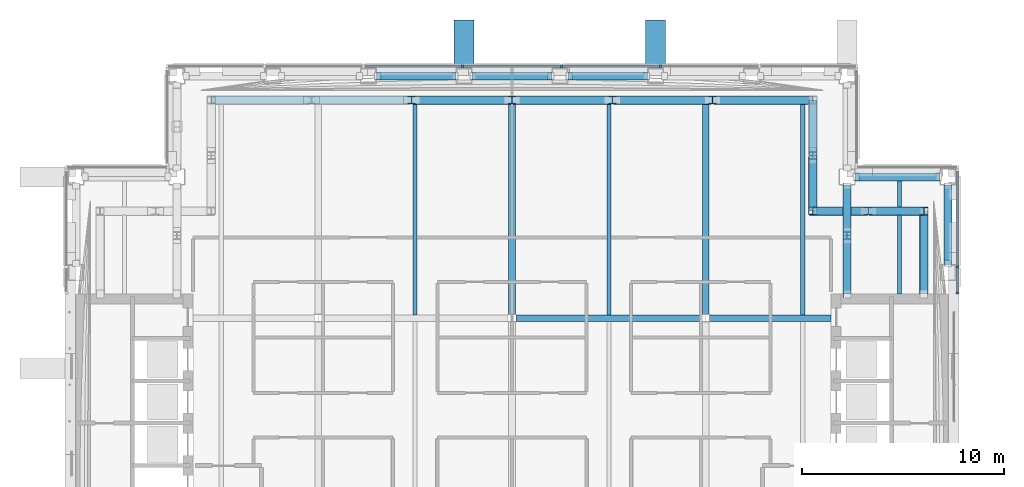
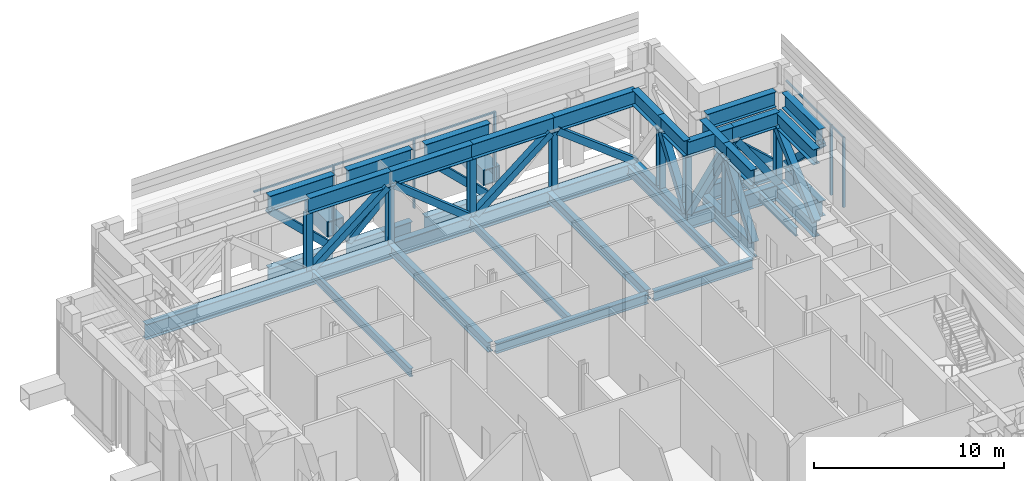
# One storey, part 8 of 29: 60 members, 11 beams, 2 elements without a shape of their own.
"""IFC4 building model written with IfcOpenShell, lengths in metres."""

from ifc_helpers import new_model, si_unit, direction, frame, origin, origin_2d, place, context, subcontext, project, spatial, rectangle, hollow_rectangle, i_section, extrude, material, material_profile, profile_set, type_object, element, aggregate, save


model = new_model("IFC4")

# Units and contexts
model_context = context("Model", 3, precision=1e-05, world=origin(), true_north=direction((0.0, 1.0)))
body_context = subcontext(model_context, "Body", "Model", "MODEL_VIEW")
ifc_project = project(units=[si_unit("LENGTHUNIT", "METRE"), si_unit("AREAUNIT", "SQUARE_METRE"), si_unit("VOLUMEUNIT", "CUBIC_METRE"), si_unit("PLANEANGLEUNIT", "RADIAN"), si_unit("MASSUNIT", "GRAM", prefix="KILO")], contexts=[model_context])

# Site, building, storey
site_placement = place(None, origin())
site = spatial("IfcSite", under=ifc_project, at=site_placement, CompositionType="ELEMENT")
building_placement = place(site_placement, origin())
building = spatial("IfcBuilding", under=site, at=building_placement, Name="Cobrizo Arcos Hotel Tower", CompositionType="ELEMENT")
storey_placement = place(building_placement, frame((0.0, 0.0, 186.5)))
storey = spatial("IfcBuildingStorey", under=building, at=storey_placement, Name="L48", CompositionType="ELEMENT", Elevation=186.5)

# Beams
ifc_material_1 = material(Name="Steel ASTM A572 Grade 50", Category="steel")
ifc_material_profile_1 = material_profile(ifc_material_1, hollow_rectangle(XDim=1.0, YDim=1.0, WallThickness=0.06005859375, at=origin_2d()), Name="BOX 1000X1000X60")
ifc_profile_set_1 = profile_set([ifc_material_profile_1], Name="Steel ASTM A572 Grade 50")
beam_type_1 = type_object("IfcBeamType", Name="BOX 1000X1000X60 brace connector strut", PredefinedType="BEAM", material=ifc_profile_set_1)
for number, where, z_axis, x_axis, name in (
    (1, (7.1142578125, 21.989990234375, 0.5), (0.0, 1.0, 0.0), (-1.0, 0.0, 0.0), "Perimeter brace stub BS1, zone Z3, north face, offset +7.11 m, L48"),
    (2, (-2.371337890625, 21.989990234375, 0.5), (0.0, 1.0, 0.0), (-1.0, 0.0, 0.0), "Perimeter brace stub BS1, zone Z3, north face, offset -2.37 m, L48"),
):
    element("IfcBeam", number, at=place(storey_placement, frame(where, z_axis=z_axis, x_axis=x_axis)), inside=storey, type_object=beam_type_1, Name=name, PredefinedType="BEAM", context=body_context, shape_type="SweptSolid", body=[
        extrude(hollow_rectangle(XDim=1.0, YDim=1.0, WallThickness=0.06005859375, at=origin_2d()), origin(), (0.0, 0.0, 1.0), 2.380126953125),
    ])

# Curtain wall, members
ifc_material_2 = material(Name="Aluminium 6063-T6 anodised bronze", Category="aluminium")
curtain_wall_type = type_object("IfcCurtainWallType", Name="CW-D plant louvre wall", PredefinedType="NOTDEFINED", material=ifc_material_2)
curtain_wall_1_placement = place(storey_placement, origin())
curtain_wall_1 = element("IfcCurtainWall", 3, at=curtain_wall_1_placement, inside=storey, type_object=curtain_wall_type, Name="CW-D L48 E face", PredefinedType="NOTDEFINED")
ifc_material_profile_2 = material_profile(ifc_material_2, rectangle(XDim=0.14990234375, YDim=0.10009765625, at=origin_2d()), Name="CW-D mullion 150x100")
ifc_profile_set_2 = profile_set([ifc_material_profile_2], Name="Aluminium 6063-T6 anodised bronze")
member_type_1 = type_object("IfcMemberType", Name="CW-D mullion 150x100", PredefinedType="MULLION", material=ifc_profile_set_2)
member_1_placement = place(storey_placement, frame((22.074951171875, 10.85009765625, 0.0), z_axis=(0.0, 0.0, 1.0), x_axis=(1.0, 0.0, 0.0)))
member_1 = element("IfcMember", 4, at=member_1_placement, type_object=member_type_1, Name="CW-D mullion 1", PredefinedType="MULLION", context=body_context, shape_type="SweptSolid", body=[
    extrude(rectangle(XDim=0.14990234375, YDim=0.10009765625, at=origin_2d()), origin(), (0.0, 0.0, 1.0), 4.5),
])
member_2_placement = place(storey_placement, frame((22.074951171875, 12.142822265625, 0.0), z_axis=(0.0, 0.0, 1.0), x_axis=(1.0, 0.0, 0.0)))
member_2 = element("IfcMember", 5, at=member_2_placement, type_object=member_type_1, Name="CW-D mullion 2", PredefinedType="MULLION", context=body_context, shape_type="SweptSolid", body=[
    extrude(rectangle(XDim=0.14990234375, YDim=0.10009765625, at=origin_2d()), origin(), (0.0, 0.0, 1.0), 4.5),
])

curtain_wall_2_placement = place(storey_placement, origin())
curtain_wall_2 = element("IfcCurtainWall", 6, at=curtain_wall_2_placement, inside=storey, type_object=curtain_wall_type, Name="CW-D L48 N face", PredefinedType="NOTDEFINED")
member_3_placement = place(storey_placement, frame((7.35009765625, 22.074951171875, 0.0), z_axis=(0.0, 0.0, 1.0), x_axis=(0.0, 1.0, 0.0)))
member_3 = element("IfcMember", 7, at=member_3_placement, type_object=member_type_1, Name="CW-D mullion 3", PredefinedType="MULLION", context=body_context, shape_type="SweptSolid", body=[
    extrude(rectangle(XDim=0.14990234375, YDim=0.10009765625, at=origin_2d()), origin(), (0.0, 0.0, 1.0), 4.5),
])
member_4_placement = place(storey_placement, frame((2.449951171875, 22.074951171875, 0.0), z_axis=(0.0, 0.0, 1.0), x_axis=(0.0, 1.0, 0.0)))
member_4 = element("IfcMember", 8, at=member_4_placement, type_object=member_type_1, Name="CW-D mullion 4", PredefinedType="MULLION", context=body_context, shape_type="SweptSolid", body=[
    extrude(rectangle(XDim=0.14990234375, YDim=0.10009765625, at=origin_2d()), origin(), (0.0, 0.0, 1.0), 4.5),
])
member_5_placement = place(storey_placement, frame((-2.449951171875, 22.074951171875, 0.0), z_axis=(0.0, 0.0, 1.0), x_axis=(0.0, 1.0, 0.0)))
member_5 = element("IfcMember", 9, at=member_5_placement, type_object=member_type_1, Name="CW-D mullion 5", PredefinedType="MULLION", context=body_context, shape_type="SweptSolid", body=[
    extrude(rectangle(XDim=0.14990234375, YDim=0.10009765625, at=origin_2d()), origin(), (0.0, 0.0, 1.0), 4.5),
])

# Member
ifc_material_profile_3 = material_profile(ifc_material_2, rectangle(XDim=0.10009765625, YDim=0.10009765625, at=origin_2d()), Name="CW-D transom 100x100")
ifc_profile_set_3 = profile_set([ifc_material_profile_3], Name="Aluminium 6063-T6 anodised bronze")
member_type_2 = type_object("IfcMemberType", Name="CW-D transom 100x100", PredefinedType="USERDEFINED", material=ifc_profile_set_3)
member_6_placement = place(storey_placement, frame((22.074951171875, 10.89990234375, 4.449951171875), z_axis=(0.0, 1.0, 0.0), x_axis=(-1.0, 0.0, 0.0)))
member_6 = element("IfcMember", 10, at=member_6_placement, type_object=member_type_2, Name="CW-D transom 1677", ObjectType="TRANSOM", PredefinedType="USERDEFINED", context=body_context, shape_type="SweptSolid", body=[
    extrude(rectangle(XDim=0.10009765625, YDim=0.10009765625, at=origin_2d()), origin(), (0.0, 0.0, 1.0), 1.19287109375),
])

member_7_placement = place(storey_placement, frame((22.074951171875, 12.19287109375, 4.449951171875), z_axis=(0.0, 1.0, 0.0), x_axis=(-1.0, 0.0, 0.0)))
member_7 = element("IfcMember", 11, at=member_7_placement, type_object=member_type_2, Name="CW-D transom 1678", ObjectType="TRANSOM", PredefinedType="USERDEFINED", context=body_context, shape_type="SweptSolid", body=[
    extrude(rectangle(XDim=0.10009765625, YDim=0.10009765625, at=origin_2d()), origin(), (0.0, 0.0, 1.0), 4.70703125),
])

aggregate(curtain_wall_1, [member_1, member_2, member_6, member_7])

member_8_placement = place(storey_placement, frame((7.300048828125, 22.074951171875, 4.449951171875), z_axis=(-1.0, 0.0, 0.0), x_axis=(0.0, -1.0, 0.0)))
member_8 = element("IfcMember", 12, at=member_8_placement, type_object=member_type_2, Name="CW-D transom 1683", ObjectType="TRANSOM", PredefinedType="USERDEFINED", context=body_context, shape_type="SweptSolid", body=[
    extrude(rectangle(XDim=0.10009765625, YDim=0.10009765625, at=origin_2d()), origin(), (0.0, 0.0, 1.0), 4.800048828125),
])

member_9_placement = place(storey_placement, frame((2.39990234375, 22.074951171875, 4.449951171875), z_axis=(-1.0, 0.0, 0.0), x_axis=(0.0, -1.0, 0.0)))
member_9 = element("IfcMember", 13, at=member_9_placement, type_object=member_type_2, Name="CW-D transom 1684", ObjectType="TRANSOM", PredefinedType="USERDEFINED", context=body_context, shape_type="SweptSolid", body=[
    extrude(rectangle(XDim=0.10009765625, YDim=0.10009765625, at=origin_2d()), origin(), (0.0, 0.0, 1.0), 4.7998046875),
])

member_10_placement = place(storey_placement, frame((-2.5, 22.074951171875, 4.449951171875), z_axis=(-1.0, 0.0, 0.0), x_axis=(0.0, -1.0, 0.0)))
member_10 = element("IfcMember", 14, at=member_10_placement, type_object=member_type_2, Name="CW-D transom 1685", ObjectType="TRANSOM", PredefinedType="USERDEFINED", context=body_context, shape_type="SweptSolid", body=[
    extrude(rectangle(XDim=0.10009765625, YDim=0.10009765625, at=origin_2d()), origin(), (0.0, 0.0, 1.0), 4.800048828125),
])

aggregate(curtain_wall_2, [member_3, member_4, member_5, member_8, member_9, member_10])

# Members
ifc_material_3 = material(Name="Steel ASTM A500 Grade C", Category="steel")
ifc_material_profile_4 = material_profile(ifc_material_3, hollow_rectangle(XDim=0.406494140625, YDim=0.406494140625, WallThickness=0.014892578125, at=origin_2d()), Name="HSS16X16X5/8")
ifc_profile_set_4 = profile_set([ifc_material_profile_4], Name="Steel ASTM A500 Grade C")
member_type_3 = type_object("IfcMemberType", Name="HSS16X16X5/8 truss diagonal", PredefinedType="BRACE", material=ifc_profile_set_4)
member_11_placement = place(storey_placement, frame((21.60009765625, 12.3369140625, 3.359375), z_axis=(0.0, 0.71876736936, -0.695250651739), x_axis=(-1.0, 0.0, 0.0)))
element("IfcMember", 15, at=member_11_placement, inside=storey, type_object=member_type_3, Name="Belt truss diagonal TD1, L48, no. 011", PredefinedType="BRACE", context=body_context, shape_type="SweptSolid", body=[
    extrude(hollow_rectangle(XDim=0.406494140625, YDim=0.406494140625, WallThickness=0.014892578125, at=origin_2d()), origin(), (0.0, 0.0, 1.0), 5.263427734375),
])
member_12_placement = place(storey_placement, frame((21.1201171875, 16.60009765625, -0.300048828125), z_axis=(-0.7411568591, 0.0, 0.671331892739), x_axis=(0.0, -1.0, 0.0)))
element("IfcMember", 16, at=member_12_placement, inside=storey, type_object=member_type_3, Name="Belt truss diagonal TD1, L48, no. 012", PredefinedType="BRACE", context=body_context, shape_type="SweptSolid", body=[
    extrude(hollow_rectangle(XDim=0.406494140625, YDim=0.406494140625, WallThickness=0.014892578125, at=origin_2d()), origin(), (0.0, 0.0, 1.0), 5.450927734375),
])
member_13_placement = place(storey_placement, frame((6.634033203125, 21.60009765625, -0.300048828125), z_axis=(-0.718744947416, 0.0, 0.695273831353), x_axis=(0.0, -1.0, 0.0)))
element("IfcMember", 17, at=member_13_placement, inside=storey, type_object=member_type_3, Name="Belt truss diagonal TD1, L48, no. 016", PredefinedType="BRACE", context=body_context, shape_type="SweptSolid", body=[
    extrude(hollow_rectangle(XDim=0.406494140625, YDim=0.406494140625, WallThickness=0.014892578125, at=origin_2d()), origin(), (0.0, 0.0, 1.0), 5.26318359375),
])
member_14_placement = place(storey_placement, frame((1.89111328125, 21.60009765625, 3.359375), z_axis=(-0.718677668125, 0.0, -0.695343375131), x_axis=(0.0, -1.0, 0.0)))
element("IfcMember", 18, at=member_14_placement, inside=storey, type_object=member_type_3, Name="Belt truss diagonal TD1, L48, no. 017", PredefinedType="BRACE", context=body_context, shape_type="SweptSolid", body=[
    extrude(hollow_rectangle(XDim=0.406494140625, YDim=0.406494140625, WallThickness=0.014892578125, at=origin_2d()), origin(), (0.0, 0.0, 1.0), 5.2626953125),
])
member_15_placement = place(storey_placement, frame((-2.85107421875, 21.60009765625, -0.300048828125), z_axis=(-0.718744947416, 0.0, 0.695273831353), x_axis=(0.0, -1.0, 0.0)))
element("IfcMember", 19, at=member_15_placement, inside=storey, type_object=member_type_3, Name="Belt truss diagonal TD1, L48, no. 018", PredefinedType="BRACE", context=body_context, shape_type="SweptSolid", body=[
    extrude(hollow_rectangle(XDim=0.406494140625, YDim=0.406494140625, WallThickness=0.014892578125, at=origin_2d()), origin(), (0.0, 0.0, 1.0), 5.26318359375),
])
member_16_placement = place(storey_placement, frame((20.39990234375, 10.801025390625, -0.300048828125), z_axis=(0.0, 0.745963676774, 0.665986631197), x_axis=(-1.0, 0.0, 0.0)))
element("IfcMember", 20, at=member_16_placement, inside=storey, type_object=member_type_3, Name="Belt truss diagonal TD1, L48, no. 038", PredefinedType="BRACE", context=body_context, shape_type="SweptSolid", body=[
    extrude(hollow_rectangle(XDim=0.406494140625, YDim=0.406494140625, WallThickness=0.014892578125, at=origin_2d()), origin(), (0.0, 0.0, 1.0), 5.49462890625),
])
for number, where, z_axis, x_axis, name in (
    (21, (20.39990234375, 14.89990234375, -0.300048828125), (-0.571686597263, 0.0, 0.820472080274), (0.0, -1.0, 0.0), "Belt truss diagonal TD1, L48, no. 039"),
    (22, (17.449951171875, 14.89990234375, 3.359375), (-0.571723443945, 0.0, -0.820446405102), (0.0, -1.0, 0.0), "Belt truss diagonal TD1, L48, no. 040"),
    (23, (14.89990234375, 14.89990234375, -0.300048828125), (0.0, 0.571723443945, 0.820446405102), (-1.0, 0.0, 0.0), "Belt truss diagonal TD1, L48, no. 041"),
):
    element("IfcMember", number, at=place(storey_placement, frame(where, z_axis=z_axis, x_axis=x_axis)), inside=storey, type_object=member_type_3, Name=name, PredefinedType="BRACE", context=body_context, shape_type="SweptSolid", body=[
        extrude(hollow_rectangle(XDim=0.406494140625, YDim=0.406494140625, WallThickness=0.014892578125, at=origin_2d()), origin(), (0.0, 0.0, 1.0), 4.460205078125),
    ])
member_17_placement = place(storey_placement, frame((14.89990234375, 20.39990234375, -0.300048828125), z_axis=(-0.793217141697, 0.0, 0.608938885372), x_axis=(0.0, -1.0, 0.0)))
element("IfcMember", 24, at=member_17_placement, inside=storey, type_object=member_type_3, Name="Belt truss diagonal TD1, L48, no. 043", PredefinedType="BRACE", context=body_context, shape_type="SweptSolid", body=[
    extrude(hollow_rectangle(XDim=0.406494140625, YDim=0.406494140625, WallThickness=0.014892578125, at=origin_2d()), origin(), (0.0, 0.0, 1.0), 6.009521484375),
])
member_18_placement = place(storey_placement, frame((9.73291015625, 20.39990234375, 3.359375), z_axis=(-0.780310829579, 0.0, -0.625391884534), x_axis=(0.0, -1.0, 0.0)))
element("IfcMember", 25, at=member_18_placement, inside=storey, type_object=member_type_3, Name="Belt truss diagonal TD1, L48, no. 044", PredefinedType="BRACE", context=body_context, shape_type="SweptSolid", body=[
    extrude(hollow_rectangle(XDim=0.406494140625, YDim=0.406494140625, WallThickness=0.014892578125, at=origin_2d()), origin(), (0.0, 0.0, 1.0), 5.851318359375),
])
for number, where, z_axis, x_axis, name in (
    (26, (4.76708984375, 20.39990234375, -0.300048828125), (-0.780392402879, 0.0, 0.625290090701), (0.0, -1.0, 0.0), "Belt truss diagonal TD1, L48, no. 045"),
    (27, (-0.199951171875, 20.39990234375, 3.359375), (-0.780392402879, 0.0, -0.625290090701), (0.0, -1.0, 0.0), "Belt truss diagonal TD1, L48, no. 046"),
):
    element("IfcMember", number, at=place(storey_placement, frame(where, z_axis=z_axis, x_axis=x_axis)), inside=storey, type_object=member_type_3, Name=name, PredefinedType="BRACE", context=body_context, shape_type="SweptSolid", body=[
        extrude(hollow_rectangle(XDim=0.406494140625, YDim=0.406494140625, WallThickness=0.014892578125, at=origin_2d()), origin(), (0.0, 0.0, 1.0), 5.852294921875),
    ])
member_19_placement = place(storey_placement, frame((16.60009765625, 10.800048828125, -0.300048828125), z_axis=(0.0, 0.593702520148, 0.804684607514), x_axis=(-1.0, 0.0, 0.0)))
element("IfcMember", 28, at=member_19_placement, inside=storey, type_object=member_type_3, Name="Outrigger diagonal TD1, L48, no. 004", PredefinedType="BRACE", context=body_context, shape_type="SweptSolid", body=[
    extrude(hollow_rectangle(XDim=0.406494140625, YDim=0.406494140625, WallThickness=0.014892578125, at=origin_2d()), origin(), (0.0, 0.0, 1.0), 4.547607421875),
])
member_20_placement = place(storey_placement, frame((16.60009765625, 13.89990234375, 3.359375), z_axis=(0.0, 0.518708703579, -0.85495104002), x_axis=(-1.0, 0.0, 0.0)))
element("IfcMember", 29, at=member_20_placement, inside=storey, type_object=member_type_3, Name="Outrigger diagonal TD1, L48, no. 005", PredefinedType="BRACE", context=body_context, shape_type="SweptSolid", body=[
    extrude(hollow_rectangle(XDim=0.406494140625, YDim=0.406494140625, WallThickness=0.014892578125, at=origin_2d()), origin(), (0.0, 0.0, 1.0), 4.2802734375),
])
ifc_material_4 = material(Name="Steel ASTM A992 Grade 50", Category="steel")
ifc_material_profile_5 = material_profile(ifc_material_4, i_section(OverallWidth=0.373291015625, OverallDepth=0.373291015625, WebThickness=0.016357421875, FlangeThickness=0.026123046875, at=origin_2d()), Name="W14X132")
ifc_profile_set_5 = profile_set([ifc_material_profile_5], Name="Steel ASTM A992 Grade 50")
member_type_4 = type_object("IfcMemberType", Name="W14X132 truss post", PredefinedType="POST", material=ifc_profile_set_5)
for number, where, z_axis, x_axis, name in (
    (30, (20.39990234375, 14.89990234375, -0.300048828125), (0.0, 0.0, 1.0), (1.0, 0.0, 0.0), "Truss post TP1, L48, no. 012"),
    (31, (17.64990234375, 14.89990234375, -0.300048828125), (0.0, 0.0, 1.0), (1.0, 0.0, 0.0), "Truss post TP1, L48, no. 013"),
    (32, (14.89990234375, 14.89990234375, -0.300048828125), (0.0, 0.0, 1.0), (1.0, 0.0, 0.0), "Truss post TP1, L48, no. 014"),
    (33, (14.89990234375, 17.64990234375, -0.300048828125), (0.0, 0.0, 1.0), (1.0, 0.0, 0.0), "Truss post TP1, L48, no. 015"),
    (34, (9.93310546875, 20.39990234375, -0.300048828125), (0.0, 0.0, 1.0), (1.0, 0.0, 0.0), "Truss post TP1, L48, no. 017"),
    (35, (4.967041015625, 20.39990234375, -0.300048828125), (0.0, 0.0, 1.0), (1.0, 0.0, 0.0), "Truss post TP1, L48, no. 018"),
    (36, (0.0, 20.39990234375, -0.300048828125), (0.0, 0.0, 1.0), (1.0, 0.0, 0.0), "Truss post TP1, L48, no. 019"),
    (37, (-4.967041015625, 20.39990234375, -0.300048828125), (0.0, 0.0, 1.0), (1.0, 0.0, 0.0), "Truss post TP1, L48, no. 020"),
    (38, (16.60009765625, 13.699951171875, -0.300048828125), (0.0, 0.0, 1.0), (1.0, 0.0, 0.0), "Truss post TP1, L48, no. 032"),
):
    element("IfcMember", number, at=place(storey_placement, frame(where, z_axis=z_axis, x_axis=x_axis)), inside=storey, type_object=member_type_4, Name=name, PredefinedType="POST", context=body_context, shape_type="SweptSolid", body=[
        extrude(i_section(OverallWidth=0.373291015625, OverallDepth=0.373291015625, WebThickness=0.016357421875, FlangeThickness=0.026123046875, at=origin_2d()), origin(), (0.0, 0.0, 1.0), 3.659423828125),
    ])

# Beams
ifc_material_profile_6 = material_profile(ifc_material_4, i_section(OverallWidth=0.209228515625, OverallDepth=0.533447265625, WebThickness=0.01025390625, FlangeThickness=0.015625, at=origin_2d()), Name="W21X62")
ifc_profile_set_6 = profile_set([ifc_material_profile_6], Name="Steel ASTM A992 Grade 50")
beam_type_2 = type_object("IfcBeamType", Name="W21X62 joist", PredefinedType="JOIST", material=ifc_profile_set_6)
for number, where, z_axis, x_axis, name in (
    (39, (-4.800048828125, 9.763916015625, -0.566650390625), (0.0, 1.0, 0.0), (-1.0, 0.0, 0.0), "Floor joist J1, L48, no. 012"),
    (40, (4.800048828125, 9.763916015625, -0.566650390625), (0.0, 1.0, 0.0), (-1.0, 0.0, 0.0), "Floor joist J1, L48, no. 016"),
    (41, (14.39990234375, 9.763916015625, -0.566650390625), (0.0, 1.0, 0.0), (-1.0, 0.0, 0.0), "Floor joist J1, L48, no. 020"),
):
    element("IfcBeam", number, at=place(storey_placement, frame(where, z_axis=z_axis, x_axis=x_axis)), inside=storey, type_object=beam_type_2, Name=name, PredefinedType="JOIST", context=body_context, shape_type="SweptSolid", body=[
        extrude(i_section(OverallWidth=0.209228515625, OverallDepth=0.533447265625, WebThickness=0.01025390625, FlangeThickness=0.015625, at=origin_2d()), origin(), (0.0, 0.0, 1.0), 10.435546875),
    ])
beam_1_placement = place(storey_placement, frame((19.199951171875, 10.81005859375, -0.566650390625), z_axis=(0.0, 1.0, 0.0), x_axis=(-1.0, 0.0, 0.0)))
element("IfcBeam", 42, at=beam_1_placement, inside=storey, type_object=beam_type_2, Name="Floor joist J1, L48, no. 023", PredefinedType="JOIST", context=body_context, shape_type="SweptSolid", body=[
    extrude(i_section(OverallWidth=0.209228515625, OverallDepth=0.533447265625, WebThickness=0.01025390625, FlangeThickness=0.015625, at=origin_2d()), origin(), (0.0, 0.0, 1.0), 3.889404296875),
])
beam_2_placement = place(storey_placement, frame((19.199951171875, 15.1005859375, -0.566650390625), z_axis=(0.0, 1.0, 0.0), x_axis=(-1.0, 0.0, 0.0)))
element("IfcBeam", 43, at=beam_2_placement, inside=storey, type_object=beam_type_2, Name="Floor joist J1, L48, no. 024", PredefinedType="JOIST", context=body_context, shape_type="SweptSolid", body=[
    extrude(i_section(OverallWidth=0.209228515625, OverallDepth=0.533447265625, WebThickness=0.01025390625, FlangeThickness=0.015625, at=origin_2d()), origin(), (0.0, 0.0, 1.0), 1.298828125),
])
ifc_material_profile_7 = material_profile(ifc_material_4, i_section(OverallWidth=0.32763671875, OverallDepth=0.622314453125, WebThickness=0.015380859375, FlangeThickness=0.0244140625, at=origin_2d()), Name="W24X131")
ifc_profile_set_7 = profile_set([ifc_material_profile_7], Name="Steel ASTM A992 Grade 50")
beam_type_3 = type_object("IfcBeamType", Name="W24X131 girder", PredefinedType="BEAM", material=ifc_profile_set_7)
beam_3_placement = place(storey_placement, frame((0.186767578125, 9.60009765625, -0.611083984375), z_axis=(1.0, 0.0, 0.0), x_axis=(0.0, 1.0, 0.0)))
element("IfcBeam", 44, at=beam_3_placement, inside=storey, type_object=beam_type_3, Name="Floor girder G1, L48, no. 011", PredefinedType="BEAM", context=body_context, shape_type="SweptSolid", body=[
    extrude(i_section(OverallWidth=0.32763671875, OverallDepth=0.622314453125, WebThickness=0.015380859375, FlangeThickness=0.0244140625, at=origin_2d()), origin(), (0.0, 0.0, 1.0), 9.2265625),
])
beam_4_placement = place(storey_placement, frame((9.78662109375, 9.60009765625, -0.611083984375), z_axis=(1.0, 0.0, 0.0), x_axis=(0.0, 1.0, 0.0)))
element("IfcBeam", 45, at=beam_4_placement, inside=storey, type_object=beam_type_3, Name="Floor girder G1, L48, no. 012", PredefinedType="BEAM", context=body_context, shape_type="SweptSolid", body=[
    extrude(i_section(OverallWidth=0.32763671875, OverallDepth=0.622314453125, WebThickness=0.015380859375, FlangeThickness=0.0244140625, at=origin_2d()), origin(), (0.0, 0.0, 1.0), 6.00341796875),
])
for number, where, z_axis, x_axis, name in (
    (46, (0.0, 9.78662109375, -0.611083984375), (0.0, 1.0, 0.0), (-1.0, 0.0, 0.0), "Floor girder G1, L48, no. 020"),
    (47, (9.60009765625, 9.78662109375, -0.611083984375), (0.0, 1.0, 0.0), (-1.0, 0.0, 0.0), "Floor girder G1, L48, no. 024"),
):
    element("IfcBeam", number, at=place(storey_placement, frame(where, z_axis=z_axis, x_axis=x_axis)), inside=storey, type_object=beam_type_3, Name=name, PredefinedType="BEAM", context=body_context, shape_type="SweptSolid", body=[
        extrude(i_section(OverallWidth=0.32763671875, OverallDepth=0.622314453125, WebThickness=0.015380859375, FlangeThickness=0.0244140625, at=origin_2d()), origin(), (0.0, 0.0, 1.0), 10.412841796875),
    ])

# Members
ifc_material_profile_8 = material_profile(ifc_material_4, i_section(OverallWidth=0.4013671875, OverallDepth=0.990478515625, WebThickness=0.0166015625, FlangeThickness=0.025390625, at=origin_2d()), Name="W40X215")
ifc_profile_set_8 = profile_set([ifc_material_profile_8], Name="Steel ASTM A992 Grade 50")
member_type_5 = type_object("IfcMemberType", Name="W40X215 belt truss chord", PredefinedType="CHORD", material=ifc_profile_set_8)
for number, where, z_axis, x_axis, name in (
    (48, (21.60009765625, 12.257080078125, -0.79541015625), (0.0, 1.0, 0.0), (-1.0, 0.0, 0.0), "Belt truss bottom chord TC1, L48, no. 011"),
    (49, (21.60009765625, 12.257080078125, 3.854736328125), (0.0, 1.0, 0.0), (-1.0, 0.0, 0.0), "Belt truss top chord TC1, L48, no. 011"),
):
    element("IfcMember", number, at=place(storey_placement, frame(where, z_axis=z_axis, x_axis=x_axis)), inside=storey, type_object=member_type_5, Name=name, PredefinedType="CHORD", context=body_context, shape_type="SweptSolid", body=[
        extrude(i_section(OverallWidth=0.4013671875, OverallDepth=0.990478515625, WebThickness=0.0166015625, FlangeThickness=0.025390625, at=origin_2d()), origin(), (0.0, 0.0, 1.0), 3.94287109375),
    ])
for number, where, z_axis, x_axis, name in (
    (50, (21.199951171875, 16.60009765625, -0.79541015625), (-1.0, 0.0, 0.0), (0.0, -1.0, 0.0), "Belt truss bottom chord TC1, L48, no. 012"),
    (51, (21.199951171875, 16.60009765625, 3.854736328125), (-1.0, 0.0, 0.0), (0.0, -1.0, 0.0), "Belt truss top chord TC1, L48, no. 012"),
):
    element("IfcMember", number, at=place(storey_placement, frame(where, z_axis=z_axis, x_axis=x_axis)), inside=storey, type_object=member_type_5, Name=name, PredefinedType="CHORD", context=body_context, shape_type="SweptSolid", body=[
        extrude(i_section(OverallWidth=0.4013671875, OverallDepth=0.990478515625, WebThickness=0.0166015625, FlangeThickness=0.025390625, at=origin_2d()), origin(), (0.0, 0.0, 1.0), 4.199951171875),
    ])
member_21_placement = place(storey_placement, frame((6.714111328125, 21.60009765625, -0.79541015625), z_axis=(-1.0, 0.0, 0.0), x_axis=(0.0, -1.0, 0.0)))
element("IfcMember", 52, at=member_21_placement, inside=storey, type_object=member_type_5, Name="Belt truss bottom chord TC1, L48, no. 016", PredefinedType="CHORD", context=body_context, shape_type="SweptSolid", body=[
    extrude(i_section(OverallWidth=0.4013671875, OverallDepth=0.990478515625, WebThickness=0.0166015625, FlangeThickness=0.025390625, at=origin_2d()), origin(), (0.0, 0.0, 1.0), 3.943115234375),
])
member_22_placement = place(storey_placement, frame((1.970947265625, 21.60009765625, -0.79541015625), z_axis=(-1.0, 0.0, 0.0), x_axis=(0.0, -1.0, 0.0)))
element("IfcMember", 53, at=member_22_placement, inside=storey, type_object=member_type_5, Name="Belt truss bottom chord TC1, L48, no. 017", PredefinedType="CHORD", context=body_context, shape_type="SweptSolid", body=[
    extrude(i_section(OverallWidth=0.4013671875, OverallDepth=0.990478515625, WebThickness=0.0166015625, FlangeThickness=0.025390625, at=origin_2d()), origin(), (0.0, 0.0, 1.0), 3.94189453125),
])
for number, where, z_axis, x_axis, name in (
    (54, (-2.77099609375, 21.60009765625, -0.79541015625), (-1.0, 0.0, 0.0), (0.0, -1.0, 0.0), "Belt truss bottom chord TC1, L48, no. 018"),
    (55, (6.714111328125, 21.60009765625, 3.854736328125), (-1.0, 0.0, 0.0), (0.0, -1.0, 0.0), "Belt truss top chord TC1, L48, no. 016"),
):
    element("IfcMember", number, at=place(storey_placement, frame(where, z_axis=z_axis, x_axis=x_axis)), inside=storey, type_object=member_type_5, Name=name, PredefinedType="CHORD", context=body_context, shape_type="SweptSolid", body=[
        extrude(i_section(OverallWidth=0.4013671875, OverallDepth=0.990478515625, WebThickness=0.0166015625, FlangeThickness=0.025390625, at=origin_2d()), origin(), (0.0, 0.0, 1.0), 3.943115234375),
    ])
member_23_placement = place(storey_placement, frame((1.970947265625, 21.60009765625, 3.854736328125), z_axis=(-1.0, 0.0, 0.0), x_axis=(0.0, -1.0, 0.0)))
element("IfcMember", 56, at=member_23_placement, inside=storey, type_object=member_type_5, Name="Belt truss top chord TC1, L48, no. 017", PredefinedType="CHORD", context=body_context, shape_type="SweptSolid", body=[
    extrude(i_section(OverallWidth=0.4013671875, OverallDepth=0.990478515625, WebThickness=0.0166015625, FlangeThickness=0.025390625, at=origin_2d()), origin(), (0.0, 0.0, 1.0), 3.94189453125),
])
member_24_placement = place(storey_placement, frame((-2.77099609375, 21.60009765625, 3.854736328125), z_axis=(-1.0, 0.0, 0.0), x_axis=(0.0, -1.0, 0.0)))
element("IfcMember", 57, at=member_24_placement, inside=storey, type_object=member_type_5, Name="Belt truss top chord TC1, L48, no. 018", PredefinedType="CHORD", context=body_context, shape_type="SweptSolid", body=[
    extrude(i_section(OverallWidth=0.4013671875, OverallDepth=0.990478515625, WebThickness=0.0166015625, FlangeThickness=0.025390625, at=origin_2d()), origin(), (0.0, 0.0, 1.0), 3.943115234375),
])
for number, where, z_axis, x_axis, name in (
    (58, (20.39990234375, 10.801025390625, -0.79541015625), (0.0, 1.0, 0.0), (-1.0, 0.0, 0.0), "Belt truss bottom chord TC1, L48, no. 031"),
    (59, (20.39990234375, 10.801025390625, 3.854736328125), (0.0, 1.0, 0.0), (-1.0, 0.0, 0.0), "Belt truss top chord TC1, L48, no. 038"),
):
    element("IfcMember", number, at=place(storey_placement, frame(where, z_axis=z_axis, x_axis=x_axis)), inside=storey, type_object=member_type_5, Name=name, PredefinedType="CHORD", context=body_context, shape_type="SweptSolid", body=[
        extrude(i_section(OverallWidth=0.4013671875, OverallDepth=0.990478515625, WebThickness=0.0166015625, FlangeThickness=0.025390625, at=origin_2d()), origin(), (0.0, 0.0, 1.0), 4.098876953125),
    ])
member_25_placement = place(storey_placement, frame((20.39990234375, 14.89990234375, -0.79541015625), z_axis=(-1.0, 0.0, 0.0), x_axis=(0.0, -1.0, 0.0)))
element("IfcMember", 60, at=member_25_placement, inside=storey, type_object=member_type_5, Name="Belt truss bottom chord TC1, L48, no. 032", PredefinedType="CHORD", context=body_context, shape_type="SweptSolid", body=[
    extrude(i_section(OverallWidth=0.4013671875, OverallDepth=0.990478515625, WebThickness=0.0166015625, FlangeThickness=0.025390625, at=origin_2d()), origin(), (0.0, 0.0, 1.0), 5.5),
])
for number, where, z_axis, x_axis, name in (
    (61, (20.39990234375, 14.89990234375, 3.854736328125), (-1.0, 0.0, 0.0), (0.0, -1.0, 0.0), "Belt truss top chord TC1, L48, no. 039"),
    (62, (17.64990234375, 14.89990234375, 3.854736328125), (-1.0, 0.0, 0.0), (0.0, -1.0, 0.0), "Belt truss top chord TC1, L48, no. 040"),
):
    element("IfcMember", number, at=place(storey_placement, frame(where, z_axis=z_axis, x_axis=x_axis)), inside=storey, type_object=member_type_5, Name=name, PredefinedType="CHORD", context=body_context, shape_type="SweptSolid", body=[
        extrude(i_section(OverallWidth=0.4013671875, OverallDepth=0.990478515625, WebThickness=0.0166015625, FlangeThickness=0.025390625, at=origin_2d()), origin(), (0.0, 0.0, 1.0), 2.75),
    ])
member_26_placement = place(storey_placement, frame((14.89990234375, 14.89990234375, -0.79541015625), z_axis=(0.0, 1.0, 0.0), x_axis=(-1.0, 0.0, 0.0)))
element("IfcMember", 63, at=member_26_placement, inside=storey, type_object=member_type_5, Name="Belt truss bottom chord TC1, L48, no. 033", PredefinedType="CHORD", context=body_context, shape_type="SweptSolid", body=[
    extrude(i_section(OverallWidth=0.4013671875, OverallDepth=0.990478515625, WebThickness=0.0166015625, FlangeThickness=0.025390625, at=origin_2d()), origin(), (0.0, 0.0, 1.0), 5.5),
])
for number, where, z_axis, x_axis, name in (
    (64, (14.89990234375, 14.89990234375, 3.854736328125), (0.0, 1.0, 0.0), (-1.0, 0.0, 0.0), "Belt truss top chord TC1, L48, no. 041"),
    (65, (14.89990234375, 17.64990234375, 3.854736328125), (0.0, 1.0, 0.0), (-1.0, 0.0, 0.0), "Belt truss top chord TC1, L48, no. 042"),
):
    element("IfcMember", number, at=place(storey_placement, frame(where, z_axis=z_axis, x_axis=x_axis)), inside=storey, type_object=member_type_5, Name=name, PredefinedType="CHORD", context=body_context, shape_type="SweptSolid", body=[
        extrude(i_section(OverallWidth=0.4013671875, OverallDepth=0.990478515625, WebThickness=0.0166015625, FlangeThickness=0.025390625, at=origin_2d()), origin(), (0.0, 0.0, 1.0), 2.75),
    ])
member_27_placement = place(storey_placement, frame((14.89990234375, 20.39990234375, -0.79541015625), z_axis=(-1.0, 0.0, 0.0), x_axis=(0.0, -1.0, 0.0)))
element("IfcMember", 66, at=member_27_placement, inside=storey, type_object=member_type_5, Name="Belt truss bottom chord TC1, L48, no. 034", PredefinedType="CHORD", context=body_context, shape_type="SweptSolid", body=[
    extrude(i_section(OverallWidth=0.4013671875, OverallDepth=0.990478515625, WebThickness=0.0166015625, FlangeThickness=0.025390625, at=origin_2d()), origin(), (0.0, 0.0, 1.0), 29.7998046875),
])
member_28_placement = place(storey_placement, frame((14.89990234375, 20.39990234375, 3.854736328125), z_axis=(-1.0, 0.0, 0.0), x_axis=(0.0, -1.0, 0.0)))
element("IfcMember", 67, at=member_28_placement, inside=storey, type_object=member_type_5, Name="Belt truss top chord TC1, L48, no. 043", PredefinedType="CHORD", context=body_context, shape_type="SweptSolid", body=[
    extrude(i_section(OverallWidth=0.4013671875, OverallDepth=0.990478515625, WebThickness=0.0166015625, FlangeThickness=0.025390625, at=origin_2d()), origin(), (0.0, 0.0, 1.0), 4.966796875),
])
member_29_placement = place(storey_placement, frame((9.93310546875, 20.39990234375, 3.854736328125), z_axis=(-1.0, 0.0, 0.0), x_axis=(0.0, -1.0, 0.0)))
element("IfcMember", 68, at=member_29_placement, inside=storey, type_object=member_type_5, Name="Belt truss top chord TC1, L48, no. 044", PredefinedType="CHORD", context=body_context, shape_type="SweptSolid", body=[
    extrude(i_section(OverallWidth=0.4013671875, OverallDepth=0.990478515625, WebThickness=0.0166015625, FlangeThickness=0.025390625, at=origin_2d()), origin(), (0.0, 0.0, 1.0), 4.966064453125),
])
for number, where, z_axis, x_axis, name in (
    (69, (4.967041015625, 20.39990234375, 3.854736328125), (-1.0, 0.0, 0.0), (0.0, -1.0, 0.0), "Belt truss top chord TC1, L48, no. 045"),
    (70, (0.0, 20.39990234375, 3.854736328125), (-1.0, 0.0, 0.0), (0.0, -1.0, 0.0), "Belt truss top chord TC1, L48, no. 046"),
):
    element("IfcMember", number, at=place(storey_placement, frame(where, z_axis=z_axis, x_axis=x_axis)), inside=storey, type_object=member_type_5, Name=name, PredefinedType="CHORD", context=body_context, shape_type="SweptSolid", body=[
        extrude(i_section(OverallWidth=0.4013671875, OverallDepth=0.990478515625, WebThickness=0.0166015625, FlangeThickness=0.025390625, at=origin_2d()), origin(), (0.0, 0.0, 1.0), 4.967041015625),
    ])
member_30_placement = place(storey_placement, frame((16.60009765625, 10.800048828125, -0.79541015625), z_axis=(0.0, 1.0, 0.0), x_axis=(-1.0, 0.0, 0.0)))
element("IfcMember", 71, at=member_30_placement, inside=storey, type_object=member_type_5, Name="Outrigger bottom chord TC1, L48, no. 003", PredefinedType="CHORD", context=body_context, shape_type="SweptSolid", body=[
    extrude(i_section(OverallWidth=0.4013671875, OverallDepth=0.990478515625, WebThickness=0.0166015625, FlangeThickness=0.025390625, at=origin_2d()), origin(), (0.0, 0.0, 1.0), 5.39990234375),
])
member_31_placement = place(storey_placement, frame((16.60009765625, 10.800048828125, 3.854736328125), z_axis=(0.0, 1.0, 0.0), x_axis=(-1.0, 0.0, 0.0)))
element("IfcMember", 72, at=member_31_placement, inside=storey, type_object=member_type_5, Name="Outrigger top chord TC1, L48, no. 004", PredefinedType="CHORD", context=body_context, shape_type="SweptSolid", body=[
    extrude(i_section(OverallWidth=0.4013671875, OverallDepth=0.990478515625, WebThickness=0.0166015625, FlangeThickness=0.025390625, at=origin_2d()), origin(), (0.0, 0.0, 1.0), 2.89990234375),
])
member_32_placement = place(storey_placement, frame((16.60009765625, 13.699951171875, 3.854736328125), z_axis=(0.0, 1.0, 0.0), x_axis=(-1.0, 0.0, 0.0)))
element("IfcMember", 73, at=member_32_placement, inside=storey, type_object=member_type_5, Name="Outrigger top chord TC1, L48, no. 005", PredefinedType="CHORD", context=body_context, shape_type="SweptSolid", body=[
    extrude(i_section(OverallWidth=0.4013671875, OverallDepth=0.990478515625, WebThickness=0.0166015625, FlangeThickness=0.025390625, at=origin_2d()), origin(), (0.0, 0.0, 1.0), 2.5),
])

save(model, "model.ifc")
